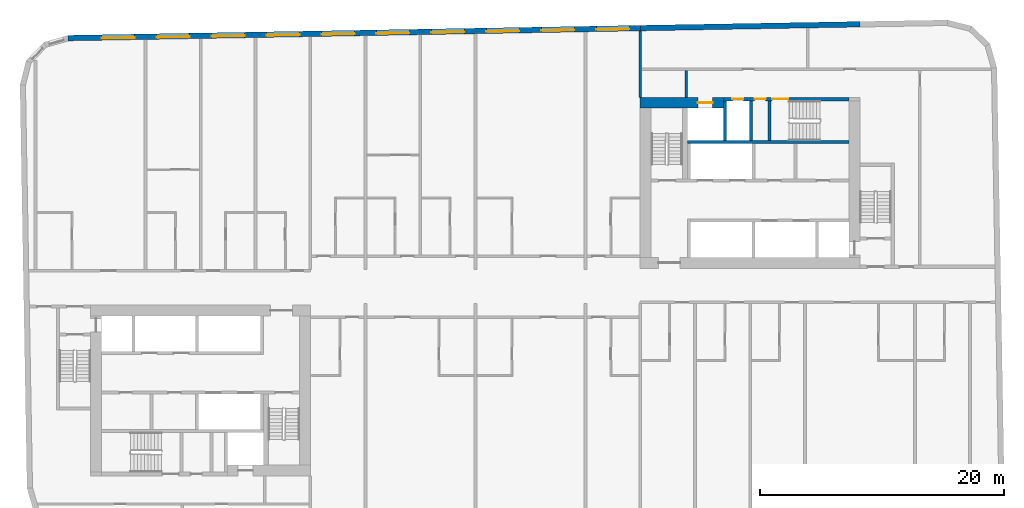
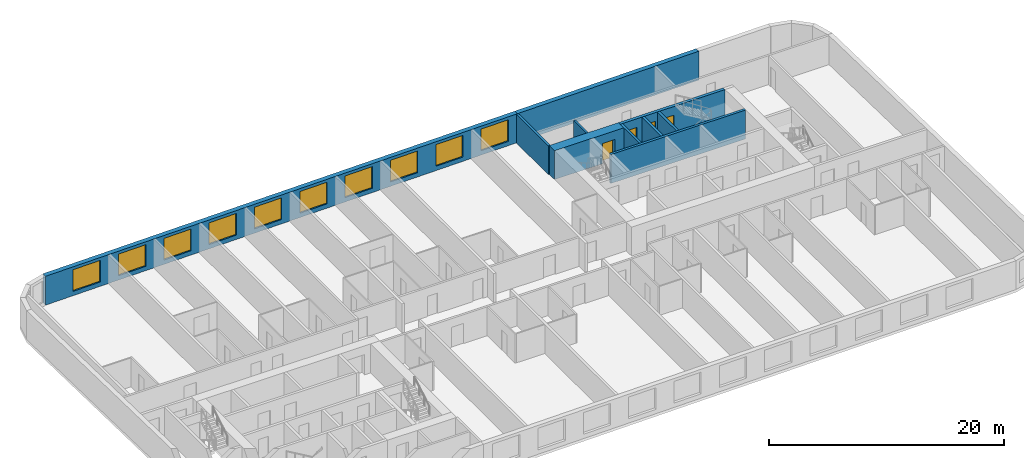
# One storey, part 6 of 11: 10 walls, 10 windows, 4 doors, 14 openings.
"""IFC4 building model written with IfcOpenShell, lengths in metres."""

import ifcopenshell
import ifcopenshell.guid

model = None  # the IFC model being written
_history = None  # IfcOwnerHistory: only IFC2X3 demands one
_inside = {}  # id of a spatial element -> (the spatial element, [elements in it])
_under = {}  # id of a project, library or spatial element -> (it, [spatial elements below it])
_declared = {}  # id of a project -> (the project, [libraries it declares])
_typed = {}  # id of a type object -> (the type object, [elements of that type])
_made_of = {}  # id of a material, layer set ... -> (it, [elements and type objects made of it])


def new_model(schema):
    """Start an empty IFC model of exactly this schema.

    Asked for "IFC4X3", IfcOpenShell would pick the latest addendum, in which some entities
    have other attributes; the version numbers below select the first issue.
    IFC2X3 requires an IfcOwnerHistory on every rooted entity: one is made here for all.
    """
    global model, _history
    if schema == "IFC4X3":
        model = ifcopenshell.file(schema_version=(4, 3, 0, 0))
    else:
        model = ifcopenshell.file(schema=schema)
    _inside.clear()
    _under.clear()
    _declared.clear()
    _typed.clear()
    _made_of.clear()
    _history = None
    if model.schema == "IFC2X3":
        org = make("IfcOrganization", Name="unknown")
        user = make(
            "IfcPersonAndOrganization",
            ThePerson=make("IfcPerson", FamilyName="unknown"),
            TheOrganization=org,
        )
        app = make(
            "IfcApplication",
            ApplicationDeveloper=org,
            Version="unknown",
            ApplicationFullName="unknown",
            ApplicationIdentifier="unknown",
        )
        _history = make(
            "IfcOwnerHistory",
            OwningUser=user,
            OwningApplication=app,
            ChangeAction="ADDED",
            CreationDate=0,
        )
    return model


def make(cls, **values):
    """One entity of the class cls with the attributes given. An attribute that is None is left unset."""
    return model.create_entity(
        cls, **{name: value for name, value in values.items() if value is not None}
    )


def rooted(cls, **values):
    """An entity with a GlobalId (a new one), such as an element, a storey or a relation."""
    return make(cls, GlobalId=ifcopenshell.guid.new(), OwnerHistory=_history, **values)


def si_unit(unit_type, name, prefix=None):
    """IfcSIUnit, for example si_unit("LENGTHUNIT", "METRE", prefix="MILLI")."""
    return make("IfcSIUnit", UnitType=unit_type, Prefix=prefix, Name=name)


def assignment(units):
    """IfcUnitAssignment: the units of a project."""
    return None if units is None else make("IfcUnitAssignment", Units=units)


def point(xyz):
    """IfcCartesianPoint."""
    return None if xyz is None else make("IfcCartesianPoint", Coordinates=xyz)


def direction(xyz):
    """IfcDirection."""
    return None if xyz is None else make("IfcDirection", DirectionRatios=xyz)


def frame(location, z_axis=None, x_axis=None):
    """IfcAxis2Placement3D, a coordinate frame: its origin and axes. An axis left out is left unset."""
    return make(
        "IfcAxis2Placement3D",
        Location=point(location),
        Axis=direction(z_axis),
        RefDirection=direction(x_axis),
    )


def frame_2d(location, x_axis=None):
    """IfcAxis2Placement2D, a coordinate frame in the plane: its origin and x axis."""
    return make(
        "IfcAxis2Placement2D", Location=point(location), RefDirection=direction(x_axis)
    )


def origin():
    """The frame at (0, 0, 0) with its axes left unset."""
    return frame((0.0, 0.0, 0.0))


def place(relative_to, where):
    """IfcLocalPlacement: puts the frame where relative to a parent placement (None: the world)."""
    return make(
        "IfcLocalPlacement", PlacementRelTo=relative_to, RelativePlacement=where
    )


def context(
    kind, dimensions, precision=None, world=None, true_north=None, identifier=None
):
    """IfcGeometricRepresentationContext, for example the 3D "Model" context."""
    return make(
        "IfcGeometricRepresentationContext",
        ContextIdentifier=identifier,
        ContextType=kind,
        CoordinateSpaceDimension=dimensions,
        Precision=precision,
        WorldCoordinateSystem=world,
        TrueNorth=true_north,
    )


def subcontext(parent, identifier, kind, view, scale=None):
    """IfcGeometricRepresentationSubContext, for example "Body" below "Model"."""
    return make(
        "IfcGeometricRepresentationSubContext",
        ContextIdentifier=identifier,
        ContextType=kind,
        ParentContext=parent,
        TargetScale=scale,
        TargetView=view,
    )


def project(units=None, contexts=None):
    """IfcProject with its units and contexts."""
    return rooted(
        "IfcProject",
        Name="project",
        RepresentationContexts=contexts,
        UnitsInContext=assignment(units),
    )


def spatial(cls, under=None, at=None, **own):
    """A site, building, storey or space (cls), placed at a placement, below another one or the project."""
    s = rooted(cls, ObjectPlacement=at, **own)
    if under is not None:
        _under.setdefault(under.id(), (under, []))[1].append(s)
    return s


def profile(cls, at=None, kind="AREA", **sizes):
    """A parametric profile (cls). Its sizes go by their IFC names, for example OverallWidth=200.0."""
    return make(cls, ProfileType=kind, Position=at, **sizes)


def rectangle(**sizes):
    """IfcRectangleProfileDef."""
    return profile("IfcRectangleProfileDef", **sizes)


def extrude(swept, where, along, depth):
    """IfcExtrudedAreaSolid: the profile swept, set in the frame where, extruded along a direction by depth."""
    return make(
        "IfcExtrudedAreaSolid",
        SweptArea=swept,
        Position=where,
        ExtrudedDirection=direction(along),
        Depth=depth,
    )


def shape(context_of_items, identifier, shape_type, items):
    """IfcShapeRepresentation: the items that make up one representation, for example the "Body"."""
    return make(
        "IfcShapeRepresentation",
        ContextOfItems=context_of_items,
        RepresentationIdentifier=identifier,
        RepresentationType=shape_type,
        Items=items,
    )


def material(Name=None, Category=None):
    """IfcMaterial."""
    return make("IfcMaterial", Name=Name, Category=Category)


def layer(
    of_material, thickness, ventilated=None, Name=None, Category=None, Priority=None
):
    """IfcMaterialLayer: one layer of a wall or slab, of a material (None: an air gap)."""
    return make(
        "IfcMaterialLayer",
        Material=of_material,
        LayerThickness=thickness,
        IsVentilated=ventilated,
        Name=Name,
        Category=Category,
        Priority=Priority,
    )


def layer_set(layers, Name=None):
    """IfcMaterialLayerSet."""
    return make("IfcMaterialLayerSet", MaterialLayers=layers, LayerSetName=Name)


def made_of(thing, what):
    """Note that an element or type object is made of a material, layer set ...; save() writes the relation."""
    if what is not None:
        _made_of.setdefault(what.id(), (what, []))[1].append(thing)
    return thing


def type_object(cls, material=None, **own):
    """A type object (cls), such as IfcWallType, which elements share."""
    return made_of(rooted(cls, **own), material)


def element(
    cls,
    number,
    at=None,
    inside=None,
    cuts=None,
    type_object=None,
    material=None,
    context=None,
    identifier="Body",
    shape_type=None,
    held_by="IfcProductDefinitionShape",
    body=None,
    shapes=None,
    **own,
):
    """One element of the class cls, such as IfcWall. Its Tag is "e" and its number.

    at: its placement. inside: the storey or other place that contains it. cuts: it is an
    opening in that element (IfcRelVoidsElement). A single representation is given by context,
    identifier, shape_type and body (its items); several are given by shapes. held_by: the class
    of the entity that holds the representations. save() writes the other relations.
    """
    e = rooted(cls, Tag="e%d" % number, ObjectPlacement=at, **own)
    if body is not None:
        shapes = [shape(context, identifier, shape_type, body)]
    if shapes is not None:
        e.Representation = make(held_by, Representations=shapes)
    if inside is not None:
        _inside.setdefault(inside.id(), (inside, []))[1].append(e)
    if cuts is not None:
        rooted(
            "IfcRelVoidsElement", RelatingBuildingElement=cuts, RelatedOpeningElement=e
        )
    if type_object is not None:
        _typed.setdefault(type_object.id(), (type_object, []))[1].append(e)
    return made_of(e, material)


def fill(opening, filler):
    """IfcRelFillsElement: the door or window that sits in an opening."""
    return rooted(
        "IfcRelFillsElement",
        RelatingOpeningElement=opening,
        RelatedBuildingElement=filler,
    )


def aggregate(whole, parts):
    """IfcRelAggregates: a whole, such as a stair, and the parts it consists of."""
    return rooted("IfcRelAggregates", RelatingObject=whole, RelatedObjects=parts)


def save(model, path):
    """Write the relations noted so far, then the file.

    IfcRelAggregates (storeys below a building ...), IfcRelContainedInSpatialStructure (elements
    in a storey), IfcRelDefinesByType, IfcRelAssociatesMaterial and IfcRelDeclares: one each for
    every whole, place, type object, material and project.
    """
    for whole, parts in _under.values():
        aggregate(whole, parts)
    for where, things in _inside.values():
        rooted(
            "IfcRelContainedInSpatialStructure",
            RelatedElements=things,
            RelatingStructure=where,
        )
    for kind, things in _typed.values():
        rooted("IfcRelDefinesByType", RelatedObjects=things, RelatingType=kind)
    for what, things in _made_of.values():
        rooted("IfcRelAssociatesMaterial", RelatedObjects=things, RelatingMaterial=what)
    for by, libraries in _declared.values():
        rooted("IfcRelDeclares", RelatingContext=by, RelatedDefinitions=libraries)
    model.write(path)


model = new_model("IFC4")

# Units and contexts
model_context = context("Model", 3, precision=1e-05, world=origin(), true_north=direction((0.0, 1.0)))
body_context = subcontext(model_context, "Body", "Model", "MODEL_VIEW")
ifc_project = project(units=[si_unit("LENGTHUNIT", "METRE"), si_unit("AREAUNIT", "SQUARE_METRE"), si_unit("VOLUMEUNIT", "CUBIC_METRE"), si_unit("PLANEANGLEUNIT", "RADIAN"), si_unit("MASSUNIT", "GRAM", prefix="KILO")], contexts=[model_context])

# Site, building, storey
site_placement = place(None, origin())
site = spatial("IfcSite", under=ifc_project, at=site_placement, CompositionType="ELEMENT")
building_placement = place(site_placement, origin())
building = spatial("IfcBuilding", under=site, at=building_placement, Name="Kajstack Hotel Tower", CompositionType="ELEMENT")
storey_placement = place(building_placement, frame((0.0, 0.0, 254.0)))
storey = spatial("IfcBuildingStorey", under=building, at=storey_placement, Name="L63", CompositionType="ELEMENT", Elevation=254.0)

# Wall, opening, door
ifc_material_1 = material(Name="Concrete C60/75", Category="concrete")
ifc_layer_1 = layer(ifc_material_1, 0.89990234375)
ifc_layer_set_1 = layer_set([ifc_layer_1], Name="Core wall 900")
wall_type_1 = type_object("IfcWallType", Name="Core wall 900", PredefinedType="SHEAR", material=ifc_layer_set_1)
wall_1_placement = place(storey_placement, frame((13.5, 15.050048828125, 0.0), z_axis=(0.0, 0.0, 1.0), x_axis=(1.0, 0.0, 0.0)))
wall_1 = element("IfcWall", 1, at=wall_1_placement, inside=storey, type_object=wall_type_1, Name="Core wall E RS", PredefinedType="SHEAR", context=body_context, shape_type="SweptSolid", body=[
    extrude(rectangle(XDim=6.800048828125, YDim=0.89990234375, at=frame_2d((3.39990234375, 0.0))), origin(), (0.0, 0.0, 1.0), 3.0),
])
opening_1_placement = place(wall_1_placement, frame((4.72509765625, 0.0, 0.0)))
opening_1 = element("IfcOpeningElement", 2, at=opening_1_placement, cuts=wall_1, Name="Opening LD-SV2", PredefinedType="OPENING", context=body_context, shape_type="SweptSolid", body=[
    extrude(rectangle(XDim=1.199951171875, YDim=2.10009765625, at=frame_2d((0.60009765625, 1.050048828125))), frame((0.0, 0.4599609375, 0.0), z_axis=(0.0, -1.0, 0.0), x_axis=(1.0, 0.0, 0.0)), (0.0, 0.0, 1.0), 0.919921875),
])
ifc_material_2 = material(Name="Stainless steel", Category="steel")
door_type_1 = type_object("IfcDoorType", Name="Lift landing door 1200", OperationType="SLIDING_TO_LEFT", PredefinedType="DOOR", material=ifc_material_2)
door_1_placement = place(opening_1_placement, origin())
door_1 = element("IfcDoor", 3, at=door_1_placement, inside=storey, type_object=door_type_1, Name="Landing door SV2", OperationType="SLIDING_TO_LEFT", OverallHeight=2.10009765625, OverallWidth=1.199951171875, PredefinedType="DOOR", context=body_context, shape_type="SweptSolid", body=[
    extrude(rectangle(XDim=1.199951171875, YDim=2.10009765625, at=frame_2d((0.60009765625, 1.050048828125))), frame((0.0, 0.02490234375, 0.0), z_axis=(0.0, -1.0, 0.0), x_axis=(1.0, 0.0, 0.0)), (0.0, 0.0, 1.0), 0.050048828125),
])
fill(opening_1, door_1)

# Walls
ifc_material_3 = material(Name="Twin-frame gypsum board on steel studs, mineral wool", Category="steel")
ifc_layer_2 = layer(ifc_material_3, 0.199951171875)
ifc_layer_set_2 = layer_set([ifc_layer_2], Name="Demising wall 200")
wall_type_2 = type_object("IfcWallType", Name="Demising wall 200", PredefinedType="PARTITIONING", material=ifc_layer_set_2)
wall_2_placement = place(storey_placement, frame((13.5, 15.5, 0.0), z_axis=(0.0, 0.0, 1.0), x_axis=(0.0, 1.0, 0.0)))
element("IfcWall", 4, at=wall_2_placement, inside=storey, type_object=wall_type_2, Name="G-wall-L63-001", PredefinedType="PARTITIONING", context=body_context, shape_type="SweptSolid", body=[
    extrude(rectangle(XDim=5.43603515625, YDim=0.199951171875, at=frame_2d((2.718017578125, 0.0))), origin(), (0.0, 0.0, 1.0), 3.0),
])
ifc_material_4 = material(Name="Concrete C40/50", Category="concrete")
ifc_layer_3 = layer(ifc_material_4, 0.449951171875)
ifc_layer_set_3 = layer_set([ifc_layer_3], Name="EW-CORE")
wall_type_3 = type_object("IfcWallType", Name="EW-CORE", PredefinedType="SOLIDWALL", material=ifc_layer_set_3)
wall_3_placement = place(storey_placement, frame((31.50390625, 21.4755859375, 0.0), z_axis=(0.0, 0.0, 1.0), x_axis=(-0.999847677887, -0.017453395744, 0.0)))
element("IfcWall", 5, at=wall_3_placement, inside=storey, type_object=wall_type_3, Name="E-wall-L63-12-01", PredefinedType="SOLIDWALL", context=body_context, shape_type="SweptSolid", body=[
    extrude(rectangle(XDim=18.002685546875, YDim=0.449951171875, at=frame_2d((9.00146484375, 0.0))), origin(), (0.0, 0.0, 1.0), 3.0),
])

# Wall, openings, windows
ifc_material_5 = material(Name="Terracotta-faced brick masonry", Category="masonry")
ifc_layer_4 = layer(ifc_material_5, 0.449951171875)
ifc_layer_set_4 = layer_set([ifc_layer_4], Name="EW-TERRA")
wall_type_4 = type_object("IfcWallType", Name="EW-TERRA", PredefinedType="SOLIDWALL", material=ifc_layer_set_4)
wall_4_placement = place(storey_placement, frame((13.50390625, 21.161376953125, 0.0), z_axis=(0.0, 0.0, 1.0), x_axis=(-0.999847763257, -0.017448504532, 0.0)))
wall_4 = element("IfcWall", 6, at=wall_4_placement, inside=storey, type_object=wall_type_4, Name="E-wall-L63-12-02", PredefinedType="SOLIDWALL", context=body_context, shape_type="SweptSolid", body=[
    extrude(rectangle(XDim=46.859375, YDim=0.449951171875, at=frame_2d((23.4296875, 0.0))), origin(), (0.0, 0.0, 1.0), 3.0),
])
opening_2_placement = place(wall_4_placement, frame((0.900390625, 0.0, 0.449951171875)))
opening_2 = element("IfcOpeningElement", 7, at=opening_2_placement, cuts=wall_4, Name="Opening W1", PredefinedType="OPENING", context=body_context, shape_type="SweptSolid", body=[
    extrude(rectangle(XDim=2.699951171875, YDim=2.25, at=frame_2d((1.35009765625, 1.125))), frame((0.0, 0.23486328125, 0.0), z_axis=(0.0, -1.0, 0.0), x_axis=(1.0, 0.0, 0.0)), (0.0, 0.0, 1.0), 0.469970703125),
])
opening_3_placement = place(wall_4_placement, frame((5.401123046875, 0.0, 0.449951171875)))
opening_3 = element("IfcOpeningElement", 8, at=opening_3_placement, cuts=wall_4, Name="Opening W1", PredefinedType="OPENING", context=body_context, shape_type="SweptSolid", body=[
    extrude(rectangle(XDim=2.699951171875, YDim=2.25, at=frame_2d((1.35009765625, 1.125))), frame((0.0, 0.23486328125, 0.0), z_axis=(0.0, -1.0, 0.0), x_axis=(1.0, 0.0, 0.0)), (0.0, 0.0, 1.0), 0.469970703125),
])
opening_4_placement = place(wall_4_placement, frame((9.90185546875, 0.0, 0.449951171875)))
opening_4 = element("IfcOpeningElement", 9, at=opening_4_placement, cuts=wall_4, Name="Opening W1", PredefinedType="OPENING", context=body_context, shape_type="SweptSolid", body=[
    extrude(rectangle(XDim=2.699951171875, YDim=2.25, at=frame_2d((1.35009765625, 1.125))), frame((0.0, 0.23486328125, 0.0), z_axis=(0.0, -1.0, 0.0), x_axis=(1.0, 0.0, 0.0)), (0.0, 0.0, 1.0), 0.469970703125),
])
opening_5_placement = place(wall_4_placement, frame((14.40234375, 0.0, 0.449951171875)))
opening_5 = element("IfcOpeningElement", 10, at=opening_5_placement, cuts=wall_4, Name="Opening W1", PredefinedType="OPENING", context=body_context, shape_type="SweptSolid", body=[
    extrude(rectangle(XDim=2.699951171875, YDim=2.25, at=frame_2d((1.35009765625, 1.125))), frame((0.0, 0.23486328125, 0.0), z_axis=(0.0, -1.0, 0.0), x_axis=(1.0, 0.0, 0.0)), (0.0, 0.0, 1.0), 0.469970703125),
])
opening_6_placement = place(wall_4_placement, frame((18.9033203125, 0.0, 0.449951171875)))
opening_6 = element("IfcOpeningElement", 11, at=opening_6_placement, cuts=wall_4, Name="Opening W1", PredefinedType="OPENING", context=body_context, shape_type="SweptSolid", body=[
    extrude(rectangle(XDim=2.699951171875, YDim=2.25, at=frame_2d((1.35009765625, 1.125))), frame((0.0, 0.23486328125, 0.0), z_axis=(0.0, -1.0, 0.0), x_axis=(1.0, 0.0, 0.0)), (0.0, 0.0, 1.0), 0.469970703125),
])
opening_7_placement = place(wall_4_placement, frame((23.40380859375, 0.0, 0.449951171875)))
opening_7 = element("IfcOpeningElement", 12, at=opening_7_placement, cuts=wall_4, Name="Opening W1", PredefinedType="OPENING", context=body_context, shape_type="SweptSolid", body=[
    extrude(rectangle(XDim=2.699951171875, YDim=2.25, at=frame_2d((1.35009765625, 1.125))), frame((0.0, 0.23486328125, 0.0), z_axis=(0.0, -1.0, 0.0), x_axis=(1.0, 0.0, 0.0)), (0.0, 0.0, 1.0), 0.469970703125),
])
opening_8_placement = place(wall_4_placement, frame((27.904296875, 0.0, 0.449951171875)))
opening_8 = element("IfcOpeningElement", 13, at=opening_8_placement, cuts=wall_4, Name="Opening W1", PredefinedType="OPENING", context=body_context, shape_type="SweptSolid", body=[
    extrude(rectangle(XDim=2.699951171875, YDim=2.25, at=frame_2d((1.35009765625, 1.125))), frame((0.0, 0.23486328125, 0.0), z_axis=(0.0, -1.0, 0.0), x_axis=(1.0, 0.0, 0.0)), (0.0, 0.0, 1.0), 0.469970703125),
])
opening_9_placement = place(wall_4_placement, frame((32.4052734375, 0.0, 0.449951171875)))
opening_9 = element("IfcOpeningElement", 14, at=opening_9_placement, cuts=wall_4, Name="Opening W1", PredefinedType="OPENING", context=body_context, shape_type="SweptSolid", body=[
    extrude(rectangle(XDim=2.699951171875, YDim=2.25, at=frame_2d((1.35009765625, 1.125))), frame((0.0, 0.23486328125, 0.0), z_axis=(0.0, -1.0, 0.0), x_axis=(1.0, 0.0, 0.0)), (0.0, 0.0, 1.0), 0.469970703125),
])
opening_10_placement = place(wall_4_placement, frame((36.906005859375, 0.0, 0.449951171875)))
opening_10 = element("IfcOpeningElement", 15, at=opening_10_placement, cuts=wall_4, Name="Opening W1", PredefinedType="OPENING", context=body_context, shape_type="SweptSolid", body=[
    extrude(rectangle(XDim=2.699951171875, YDim=2.25, at=frame_2d((1.35009765625, 1.125))), frame((0.0, 0.23486328125, 0.0), z_axis=(0.0, -1.0, 0.0), x_axis=(1.0, 0.0, 0.0)), (0.0, 0.0, 1.0), 0.469970703125),
])
opening_11_placement = place(wall_4_placement, frame((41.406494140625, 0.0, 0.449951171875)))
opening_11 = element("IfcOpeningElement", 16, at=opening_11_placement, cuts=wall_4, Name="Opening W1", PredefinedType="OPENING", context=body_context, shape_type="SweptSolid", body=[
    extrude(rectangle(XDim=2.699951171875, YDim=2.25, at=frame_2d((1.35009765625, 1.125))), frame((0.0, 0.23486328125, 0.0), z_axis=(0.0, -1.0, 0.0), x_axis=(1.0, 0.0, 0.0)), (0.0, 0.0, 1.0), 0.469970703125),
])
ifc_material_6 = material(Name="Timber-aluminium window, triple glazed", Category="wood")
window_type = type_object("IfcWindowType", Name="WG1", PartitioningType="SINGLE_PANEL", PredefinedType="WINDOW", material=ifc_material_6)
window_1_placement = place(opening_2_placement, origin())
window_1 = element("IfcWindow", 17, at=window_1_placement, inside=storey, type_object=window_type, Name="Window W1 L63-12", OverallHeight=2.25, OverallWidth=2.699951171875, PartitioningType="SINGLE_PANEL", PredefinedType="WINDOW", context=body_context, shape_type="SweptSolid", body=[
    extrude(rectangle(XDim=2.699951171875, YDim=2.25, at=frame_2d((1.35009765625, 1.125))), frame((0.0, 0.090087890625, 0.0), z_axis=(0.0, -1.0, 0.0), x_axis=(1.0, 0.0, 0.0)), (0.0, 0.0, 1.0), 0.06005859375),
])
fill(opening_2, window_1)
window_2_placement = place(opening_3_placement, origin())
window_2 = element("IfcWindow", 18, at=window_2_placement, inside=storey, type_object=window_type, Name="Window W1 L63-12", OverallHeight=2.25, OverallWidth=2.699951171875, PartitioningType="SINGLE_PANEL", PredefinedType="WINDOW", context=body_context, shape_type="SweptSolid", body=[
    extrude(rectangle(XDim=2.699951171875, YDim=2.25, at=frame_2d((1.35009765625, 1.125))), frame((0.0, 0.090087890625, 0.0), z_axis=(0.0, -1.0, 0.0), x_axis=(1.0, 0.0, 0.0)), (0.0, 0.0, 1.0), 0.06005859375),
])
fill(opening_3, window_2)
window_3_placement = place(opening_4_placement, origin())
window_3 = element("IfcWindow", 19, at=window_3_placement, inside=storey, type_object=window_type, Name="Window W1 L63-12", OverallHeight=2.25, OverallWidth=2.699951171875, PartitioningType="SINGLE_PANEL", PredefinedType="WINDOW", context=body_context, shape_type="SweptSolid", body=[
    extrude(rectangle(XDim=2.699951171875, YDim=2.25, at=frame_2d((1.35009765625, 1.125))), frame((0.0, 0.090087890625, 0.0), z_axis=(0.0, -1.0, 0.0), x_axis=(1.0, 0.0, 0.0)), (0.0, 0.0, 1.0), 0.06005859375),
])
fill(opening_4, window_3)
window_4_placement = place(opening_5_placement, origin())
window_4 = element("IfcWindow", 20, at=window_4_placement, inside=storey, type_object=window_type, Name="Window W1 L63-12", OverallHeight=2.25, OverallWidth=2.699951171875, PartitioningType="SINGLE_PANEL", PredefinedType="WINDOW", context=body_context, shape_type="SweptSolid", body=[
    extrude(rectangle(XDim=2.699951171875, YDim=2.25, at=frame_2d((1.35009765625, 1.125))), frame((0.0, 0.090087890625, 0.0), z_axis=(0.0, -1.0, 0.0), x_axis=(1.0, 0.0, 0.0)), (0.0, 0.0, 1.0), 0.06005859375),
])
fill(opening_5, window_4)
window_5_placement = place(opening_6_placement, origin())
window_5 = element("IfcWindow", 21, at=window_5_placement, inside=storey, type_object=window_type, Name="Window W1 L63-12", OverallHeight=2.25, OverallWidth=2.699951171875, PartitioningType="SINGLE_PANEL", PredefinedType="WINDOW", context=body_context, shape_type="SweptSolid", body=[
    extrude(rectangle(XDim=2.699951171875, YDim=2.25, at=frame_2d((1.35009765625, 1.125))), frame((0.0, 0.090087890625, 0.0), z_axis=(0.0, -1.0, 0.0), x_axis=(1.0, 0.0, 0.0)), (0.0, 0.0, 1.0), 0.06005859375),
])
fill(opening_6, window_5)
window_6_placement = place(opening_7_placement, origin())
window_6 = element("IfcWindow", 22, at=window_6_placement, inside=storey, type_object=window_type, Name="Window W1 L63-12", OverallHeight=2.25, OverallWidth=2.699951171875, PartitioningType="SINGLE_PANEL", PredefinedType="WINDOW", context=body_context, shape_type="SweptSolid", body=[
    extrude(rectangle(XDim=2.699951171875, YDim=2.25, at=frame_2d((1.35009765625, 1.125))), frame((0.0, 0.090087890625, 0.0), z_axis=(0.0, -1.0, 0.0), x_axis=(1.0, 0.0, 0.0)), (0.0, 0.0, 1.0), 0.06005859375),
])
fill(opening_7, window_6)
window_7_placement = place(opening_8_placement, origin())
window_7 = element("IfcWindow", 23, at=window_7_placement, inside=storey, type_object=window_type, Name="Window W1 L63-12", OverallHeight=2.25, OverallWidth=2.699951171875, PartitioningType="SINGLE_PANEL", PredefinedType="WINDOW", context=body_context, shape_type="SweptSolid", body=[
    extrude(rectangle(XDim=2.699951171875, YDim=2.25, at=frame_2d((1.35009765625, 1.125))), frame((0.0, 0.090087890625, 0.0), z_axis=(0.0, -1.0, 0.0), x_axis=(1.0, 0.0, 0.0)), (0.0, 0.0, 1.0), 0.06005859375),
])
fill(opening_8, window_7)
window_8_placement = place(opening_9_placement, origin())
window_8 = element("IfcWindow", 24, at=window_8_placement, inside=storey, type_object=window_type, Name="Window W1 L63-12", OverallHeight=2.25, OverallWidth=2.699951171875, PartitioningType="SINGLE_PANEL", PredefinedType="WINDOW", context=body_context, shape_type="SweptSolid", body=[
    extrude(rectangle(XDim=2.699951171875, YDim=2.25, at=frame_2d((1.35009765625, 1.125))), frame((0.0, 0.090087890625, 0.0), z_axis=(0.0, -1.0, 0.0), x_axis=(1.0, 0.0, 0.0)), (0.0, 0.0, 1.0), 0.06005859375),
])
fill(opening_9, window_8)
window_9_placement = place(opening_10_placement, origin())
window_9 = element("IfcWindow", 25, at=window_9_placement, inside=storey, type_object=window_type, Name="Window W1 L63-12", OverallHeight=2.25, OverallWidth=2.699951171875, PartitioningType="SINGLE_PANEL", PredefinedType="WINDOW", context=body_context, shape_type="SweptSolid", body=[
    extrude(rectangle(XDim=2.699951171875, YDim=2.25, at=frame_2d((1.35009765625, 1.125))), frame((0.0, 0.090087890625, 0.0), z_axis=(0.0, -1.0, 0.0), x_axis=(1.0, 0.0, 0.0)), (0.0, 0.0, 1.0), 0.06005859375),
])
fill(opening_10, window_9)
window_10_placement = place(opening_11_placement, origin())
window_10 = element("IfcWindow", 26, at=window_10_placement, inside=storey, type_object=window_type, Name="Window W1 L63-12", OverallHeight=2.25, OverallWidth=2.699951171875, PartitioningType="SINGLE_PANEL", PredefinedType="WINDOW", context=body_context, shape_type="SweptSolid", body=[
    extrude(rectangle(XDim=2.699951171875, YDim=2.25, at=frame_2d((1.35009765625, 1.125))), frame((0.0, 0.090087890625, 0.0), z_axis=(0.0, -1.0, 0.0), x_axis=(1.0, 0.0, 0.0)), (0.0, 0.0, 1.0), 0.06005859375),
])
fill(opening_11, window_10)

# Walls
ifc_material_7 = material(Name="Concrete block masonry", Category="masonry")
ifc_layer_5 = layer(ifc_material_7, 0.25)
ifc_layer_set_5 = layer_set([ifc_layer_5], Name="Riser partition 250")
wall_type_5 = type_object("IfcWallType", Name="Riser partition 250", PredefinedType="PARTITIONING", material=ifc_layer_set_5)
wall_5_placement = place(storey_placement, frame((22.550048828125, 11.949951171875, 0.0), z_axis=(0.0, 0.0, 1.0), x_axis=(0.0, 1.0, 0.0)))
element("IfcWall", 27, at=wall_5_placement, inside=storey, type_object=wall_type_5, Name="Partition E SZ0", PredefinedType="PARTITIONING", context=body_context, shape_type="SweptSolid", body=[
    extrude(rectangle(XDim=3.25, YDim=0.25, at=frame_2d((1.625, 0.0))), origin(), (0.0, 0.0, 1.0), 3.0),
])
ifc_material_8 = material(Name="Gypsum board on steel studs, mineral wool", Category="steel")
ifc_layer_6 = layer(ifc_material_8, 0.199951171875)
ifc_layer_set_6 = layer_set([ifc_layer_6], Name="Service partition 200")
wall_type_6 = type_object("IfcWallType", Name="Service partition 200", PredefinedType="PARTITIONING", material=ifc_layer_set_6)
wall_6_placement = place(storey_placement, frame((17.25, 15.5, 0.0), z_axis=(0.0, 0.0, 1.0), x_axis=(0.0, 1.0, 0.0)))
element("IfcWall", 28, at=wall_6_placement, inside=storey, type_object=wall_type_6, Name="Partition E SCE", PredefinedType="PARTITIONING", context=body_context, shape_type="SweptSolid", body=[
    extrude(rectangle(XDim=2.199951171875, YDim=0.199951171875, at=frame_2d((1.10009765625, 0.0))), origin(), (0.0, 0.0, 1.0), 3.0),
])

# Wall, openings, doors
ifc_material_9 = material(Name="Concrete C50/60", Category="concrete")
ifc_layer_7 = layer(ifc_material_9, 0.25)
ifc_layer_set_7 = layer_set([ifc_layer_7], Name="Shaft wall 250")
wall_type_7 = type_object("IfcWallType", Name="Shaft wall 250", PredefinedType="SHEAR", material=ifc_layer_set_7)
wall_7_placement = place(storey_placement, frame((20.300048828125, 15.35009765625, 0.0), z_axis=(0.0, 0.0, 1.0), x_axis=(1.0, 0.0, 0.0)))
wall_7 = element("IfcWall", 29, at=wall_7_placement, inside=storey, type_object=wall_type_7, Name="Core wall E RSS", PredefinedType="SHEAR", context=body_context, shape_type="SweptSolid", body=[
    extrude(rectangle(XDim=10.300048828125, YDim=0.300048828125, at=frame_2d((5.14990234375, 0.0))), origin(), (0.0, 0.0, 1.0), 3.0),
])
opening_12_placement = place(wall_7_placement, frame((4.0, 0.0, 0.0)))
opening_12 = element("IfcOpeningElement", 30, at=opening_12_placement, cuts=wall_7, Name="Opening 63E12", PredefinedType="OPENING", context=body_context, shape_type="SweptSolid", body=[
    extrude(rectangle(XDim=1.300048828125, YDim=2.10009765625, at=frame_2d((0.64990234375, 1.050048828125))), frame((0.0, 0.159912109375, 0.0), z_axis=(0.0, -1.0, 0.0), x_axis=(1.0, 0.0, 0.0)), (0.0, 0.0, 1.0), 0.320068359375),
])
opening_13_placement = place(wall_7_placement, frame((2.5625, 0.0, 0.0)))
opening_13 = element("IfcOpeningElement", 31, at=opening_13_placement, cuts=wall_7, Name="Opening 63E13", PredefinedType="OPENING", context=body_context, shape_type="SweptSolid", body=[
    extrude(rectangle(XDim=0.89990234375, YDim=2.10009765625, at=frame_2d((0.449951171875, 1.050048828125))), frame((0.0, 0.159912109375, 0.0), z_axis=(0.0, -1.0, 0.0), x_axis=(1.0, 0.0, 0.0)), (0.0, 0.0, 1.0), 0.320068359375),
])
opening_14_placement = place(wall_7_placement, frame((0.737548828125, 0.0, 0.0)))
opening_14 = element("IfcOpeningElement", 32, at=opening_14_placement, cuts=wall_7, Name="Opening 63E14", PredefinedType="OPENING", context=body_context, shape_type="SweptSolid", body=[
    extrude(rectangle(XDim=0.89990234375, YDim=2.10009765625, at=frame_2d((0.449951171875, 1.050048828125))), frame((0.0, 0.159912109375, 0.0), z_axis=(0.0, -1.0, 0.0), x_axis=(1.0, 0.0, 0.0)), (0.0, 0.0, 1.0), 0.320068359375),
])
ifc_material_10 = material(Name="Steel leaf, fire-rated", Category="steel")
door_type_2 = type_object("IfcDoorType", Name="Riser door 900", OperationType="SINGLE_SWING_LEFT", PredefinedType="DOOR", material=ifc_material_10)
door_2_placement = place(opening_14_placement, origin())
door_2 = element("IfcDoor", 33, at=door_2_placement, inside=storey, type_object=door_type_2, Name="Door 63E14", OperationType="SINGLE_SWING_RIGHT", OverallHeight=2.10009765625, OverallWidth=0.89990234375, PredefinedType="DOOR", context=body_context, shape_type="SweptSolid", body=[
    extrude(rectangle(XDim=0.89990234375, YDim=2.10009765625, at=frame_2d((0.449951171875, 1.050048828125))), frame((0.0, 0.02490234375, 0.0), z_axis=(0.0, -1.0, 0.0), x_axis=(1.0, 0.0, 0.0)), (0.0, 0.0, 1.0), 0.050048828125),
])
fill(opening_14, door_2)
ifc_material_11 = material(Name="Timber leaf, fire-rated", Category="wood")
door_type_3 = type_object("IfcDoorType", Name="Service door 900", OperationType="SINGLE_SWING_LEFT", PredefinedType="DOOR", material=ifc_material_11)
door_3_placement = place(opening_13_placement, origin())
door_3 = element("IfcDoor", 34, at=door_3_placement, inside=storey, type_object=door_type_3, Name="Door 63E13", OperationType="SINGLE_SWING_RIGHT", OverallHeight=2.10009765625, OverallWidth=0.89990234375, PredefinedType="DOOR", context=body_context, shape_type="SweptSolid", body=[
    extrude(rectangle(XDim=0.89990234375, YDim=2.10009765625, at=frame_2d((0.449951171875, 1.050048828125))), frame((0.0, 0.02490234375, 0.0), z_axis=(0.0, -1.0, 0.0), x_axis=(1.0, 0.0, 0.0)), (0.0, 0.0, 1.0), 0.050048828125),
])
fill(opening_13, door_3)
door_type_4 = type_object("IfcDoorType", Name="Stair door 1300", OperationType="SINGLE_SWING_LEFT", PredefinedType="DOOR", material=ifc_material_10)
door_4_placement = place(opening_12_placement, origin())
door_4 = element("IfcDoor", 35, at=door_4_placement, inside=storey, type_object=door_type_4, Name="Door 63E12", OperationType="SINGLE_SWING_LEFT", OverallHeight=2.10009765625, OverallWidth=1.300048828125, PredefinedType="DOOR", context=body_context, shape_type="SweptSolid", body=[
    extrude(rectangle(XDim=1.300048828125, YDim=2.10009765625, at=frame_2d((0.64990234375, 1.050048828125))), frame((0.0, 0.02490234375, 0.0), z_axis=(0.0, -1.0, 0.0), x_axis=(1.0, 0.0, 0.0)), (0.0, 0.0, 1.0), 0.050048828125),
])
fill(opening_12, door_4)

# Walls
wall_8_placement = place(storey_placement, frame((17.35009765625, 11.824951171875, 0.0), z_axis=(0.0, 0.0, 1.0), x_axis=(1.0, 0.0, 0.0)))
element("IfcWall", 36, at=wall_8_placement, inside=storey, type_object=wall_type_7, Name="Core wall E RB", PredefinedType="SHEAR", context=body_context, shape_type="SweptSolid", body=[
    extrude(rectangle(XDim=13.25, YDim=0.25, at=frame_2d((6.625, 0.0))), origin(), (0.0, 0.0, 1.0), 3.0),
])
wall_9_placement = place(storey_placement, frame((20.425048828125, 11.949951171875, 0.0), z_axis=(0.0, 0.0, 1.0), x_axis=(0.0, 1.0, 0.0)))
element("IfcWall", 37, at=wall_9_placement, inside=storey, type_object=wall_type_7, Name="Core wall E SVW", PredefinedType="SHEAR", context=body_context, shape_type="SweptSolid", body=[
    extrude(rectangle(XDim=3.25, YDim=0.25, at=frame_2d((1.625, 0.0))), origin(), (0.0, 0.0, 1.0), 3.0),
])
ifc_layer_8 = layer(ifc_material_9, 0.35009765625)
ifc_layer_set_8 = layer_set([ifc_layer_8], Name="Stair enclosure wall 350")
wall_type_8 = type_object("IfcWallType", Name="Stair enclosure wall 350", PredefinedType="SHEAR", material=ifc_layer_set_8)
wall_10_placement = place(storey_placement, frame((24.074951171875, 11.949951171875, 0.0), z_axis=(0.0, 0.0, 1.0), x_axis=(0.0, 1.0, 0.0)))
element("IfcWall", 38, at=wall_10_placement, inside=storey, type_object=wall_type_8, Name="Core wall E W3E", PredefinedType="SHEAR", context=body_context, shape_type="SweptSolid", body=[
    extrude(rectangle(XDim=3.25, YDim=0.25, at=frame_2d((1.625, 0.0))), origin(), (0.0, 0.0, 1.0), 3.0),
])

save(model, "model.ifc")
